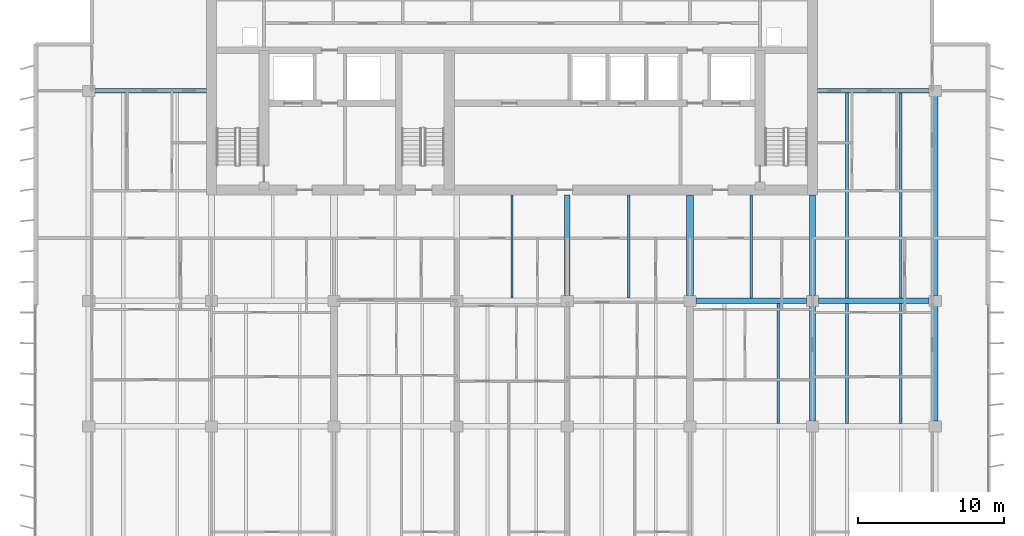
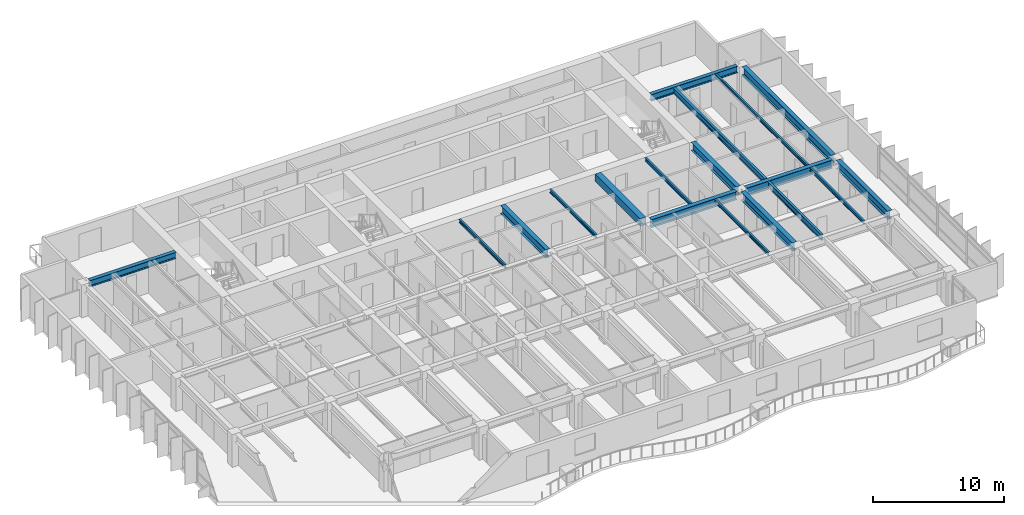
# One storey, part 5 of 19: 18 beams.
"""IFC4 building model written with IfcOpenShell, lengths in metres."""

from ifc_helpers import new_model, si_unit, direction, frame, origin, origin_2d, place, context, subcontext, project, spatial, rectangle, i_section, extrude, material, material_profile, profile_set, type_object, element, save


model = new_model("IFC4")

# Units and contexts
model_context = context("Model", 3, precision=1e-05, world=origin(), true_north=direction((0.0, 1.0)))
body_context = subcontext(model_context, "Body", "Model", "MODEL_VIEW")
ifc_project = project(units=[si_unit("LENGTHUNIT", "METRE"), si_unit("AREAUNIT", "SQUARE_METRE"), si_unit("VOLUMEUNIT", "CUBIC_METRE"), si_unit("PLANEANGLEUNIT", "RADIAN"), si_unit("MASSUNIT", "GRAM", prefix="KILO")], contexts=[model_context])

# Site, building, storey
site_placement = place(None, origin())
site = spatial("IfcSite", under=ifc_project, at=site_placement, CompositionType="ELEMENT")
building_placement = place(site_placement, origin())
building = spatial("IfcBuilding", under=site, at=building_placement, Name="Caelmar Bay Residences", CompositionType="ELEMENT")
storey_placement = place(building_placement, frame((0.0, 0.0, 167.10009765625)))
storey = spatial("IfcBuildingStorey", under=building, at=storey_placement, Name="L46", CompositionType="ELEMENT", Elevation=167.10009765625)

# Beams
ifc_material_1 = material(Name="Steel ASTM A992 Grade 50", Category="steel")
ifc_material_profile_1 = material_profile(ifc_material_1, i_section(OverallWidth=0.381103515625, OverallDepth=0.77197265625, WebThickness=0.0166015625, FlangeThickness=0.027099609375, FilletRadius=0.0166015625, at=origin_2d()), Name="W30X173")
ifc_profile_set_1 = profile_set([ifc_material_profile_1], Name="Steel ASTM A992 Grade 50")
beam_type_1 = type_object("IfcBeamType", Name="BM-GRD-W30X173", PredefinedType="BEAM", material=ifc_profile_set_1)
for number, where, z_axis, x_axis, name in (
    (1, (51.514892578125, 29.39990234375, 2.663818359375), (1.0, 0.0, 0.0), (0.0, 1.0, 0.0), "L46 East-West Girder Y=29.40 (51.1-59.5)"),
    (2, (59.9150390625, 29.39990234375, 2.663818359375), (1.0, 0.0, 0.0), (0.0, 1.0, 0.0), "L46 East-West Girder Y=29.40 (59.5-67.9)"),
):
    element("IfcBeam", number, at=place(storey_placement, frame(where, z_axis=z_axis, x_axis=x_axis)), inside=storey, type_object=beam_type_1, Name=name, PredefinedType="BEAM", context=body_context, shape_type="SweptSolid", body=[
        extrude(i_section(OverallWidth=0.381103515625, OverallDepth=0.77197265625, WebThickness=0.0166015625, FlangeThickness=0.027099609375, FilletRadius=0.0166015625, at=origin_2d()), origin(), (0.0, 0.0, 1.0), 7.570068359375),
    ])
for number, where, z_axis, x_axis, name in (
    (3, (42.699951171875, 29.764892578125, 2.663818359375), (0.0, 1.0, 0.0), (-1.0, 0.0, 0.0), "L46 Core Tie Girder X=42.70"),
    (4, (59.5, 29.764892578125, 2.663818359375), (0.0, 1.0, 0.0), (-1.0, 0.0, 0.0), "L46 Core Tie Girder X=59.50"),
):
    element("IfcBeam", number, at=place(storey_placement, frame(where, z_axis=z_axis, x_axis=x_axis)), inside=storey, type_object=beam_type_1, Name=name, PredefinedType="BEAM", context=body_context, shape_type="SweptSolid", body=[
        extrude(i_section(OverallWidth=0.381103515625, OverallDepth=0.77197265625, WebThickness=0.0166015625, FlangeThickness=0.027099609375, FilletRadius=0.0166015625, at=origin_2d()), origin(), (0.0, 0.0, 1.0), 6.885009765625),
    ])
for number, where, z_axis, x_axis, name in (
    (5, (59.5, 21.1650390625, 2.663818359375), (0.0, 1.0, 0.0), (-1.0, 0.0, 0.0), "L46 North-South Girder X=59.50 (20.8-29.4)"),
    (6, (67.89990234375, 21.1650390625, 2.663818359375), (0.0, 1.0, 0.0), (-1.0, 0.0, 0.0), "L46 North-South Girder X=67.90 (20.8-29.4)"),
):
    element("IfcBeam", number, at=place(storey_placement, frame(where, z_axis=z_axis, x_axis=x_axis)), inside=storey, type_object=beam_type_1, Name=name, PredefinedType="BEAM", context=body_context, shape_type="SweptSolid", body=[
        extrude(i_section(OverallWidth=0.381103515625, OverallDepth=0.77197265625, WebThickness=0.0166015625, FlangeThickness=0.027099609375, FilletRadius=0.0166015625, at=origin_2d()), origin(), (0.0, 0.0, 1.0), 7.869873046875),
    ])
beam_1_placement = place(storey_placement, frame((67.89990234375, 29.764892578125, 2.663818359375), z_axis=(0.0, 1.0, 0.0), x_axis=(-1.0, 0.0, 0.0)))
element("IfcBeam", 7, at=beam_1_placement, inside=storey, type_object=beam_type_1, Name="L46 North-South Girder X=67.90 (29.4-43.8)", PredefinedType="BEAM", context=body_context, shape_type="SweptSolid", body=[
    extrude(i_section(OverallWidth=0.381103515625, OverallDepth=0.77197265625, WebThickness=0.0166015625, FlangeThickness=0.027099609375, FilletRadius=0.0166015625, at=origin_2d()), origin(), (0.0, 0.0, 1.0), 13.670166015625),
])
ifc_material_profile_2 = material_profile(ifc_material_1, i_section(OverallWidth=0.1650390625, OverallDepth=0.31005859375, WebThickness=0.005859375, FlangeThickness=0.009765625, FilletRadius=0.007568359375, at=origin_2d()), Name="W12X26")
ifc_profile_set_2 = profile_set([ifc_material_profile_2], Name="Steel ASTM A992 Grade 50")
beam_type_2 = type_object("IfcBeamType", Name="BM-JST-W12X26", PredefinedType="JOIST", material=ifc_profile_set_2)
for number, where, z_axis, x_axis, name in (
    (8, (57.14794921875, 20.990478515625, 2.89501953125), (0.0, 1.0, 0.0), (-1.0, 0.0, 0.0), "L46 Composite Floor Joist 26"),
    (9, (65.548095703125, 20.990478515625, 2.89501953125), (0.0, 1.0, 0.0), (-1.0, 0.0, 0.0), "L46 Composite Floor Joist 28"),
):
    element("IfcBeam", number, at=place(storey_placement, frame(where, z_axis=z_axis, x_axis=x_axis)), inside=storey, type_object=beam_type_2, Name=name, PredefinedType="JOIST", context=body_context, shape_type="SweptSolid", body=[
        extrude(i_section(OverallWidth=0.1650390625, OverallDepth=0.31005859375, WebThickness=0.005859375, FlangeThickness=0.009765625, FilletRadius=0.007568359375, at=origin_2d()), origin(), (0.0, 0.0, 1.0), 8.218994140625),
    ])
for number, where, z_axis, x_axis, name in (
    (10, (38.89990234375, 29.590576171875, 2.89501953125), (0.0, 1.0, 0.0), (-1.0, 0.0, 0.0), "L46 Core-Band Composite Joist 31"),
    (11, (46.89990234375, 29.590576171875, 2.89501953125), (0.0, 1.0, 0.0), (-1.0, 0.0, 0.0), "L46 Core-Band Composite Joist 32"),
    (12, (55.300048828125, 29.590576171875, 2.89501953125), (0.0, 1.0, 0.0), (-1.0, 0.0, 0.0), "L46 Core-Band Composite Joist 33"),
):
    element("IfcBeam", number, at=place(storey_placement, frame(where, z_axis=z_axis, x_axis=x_axis)), inside=storey, type_object=beam_type_2, Name=name, PredefinedType="JOIST", context=body_context, shape_type="SweptSolid", body=[
        extrude(i_section(OverallWidth=0.1650390625, OverallDepth=0.31005859375, WebThickness=0.005859375, FlangeThickness=0.009765625, FilletRadius=0.007568359375, at=origin_2d()), origin(), (0.0, 0.0, 1.0), 7.059326171875),
    ])
beam_2_placement = place(storey_placement, frame((65.548095703125, 29.590576171875, 2.89501953125), z_axis=(0.0, 1.0, 0.0), x_axis=(-1.0, 0.0, 0.0)))
element("IfcBeam", 13, at=beam_2_placement, inside=storey, type_object=beam_type_2, Name="L46 Composite Floor Joist 37", PredefinedType="JOIST", context=body_context, shape_type="SweptSolid", body=[
    extrude(i_section(OverallWidth=0.1650390625, OverallDepth=0.31005859375, WebThickness=0.005859375, FlangeThickness=0.009765625, FilletRadius=0.007568359375, at=origin_2d()), origin(), (0.0, 0.0, 1.0), 14.046875),
])
ifc_material_profile_3 = material_profile(ifc_material_1, i_section(OverallWidth=0.2099609375, OverallDepth=0.535888671875, WebThickness=0.010986328125, FlangeThickness=0.017333984375, FilletRadius=0.0126953125, at=origin_2d()), Name="W21X68")
ifc_profile_set_3 = profile_set([ifc_material_profile_3], Name="Steel ASTM A992 Grade 50")
beam_type_3 = type_object("IfcBeamType", Name="BM-JST-W21X68", PredefinedType="JOIST", material=ifc_profile_set_3)
beam_3_placement = place(storey_placement, frame((61.85205078125, 20.990478515625, 2.781982421875), z_axis=(0.0, 1.0, 0.0), x_axis=(-1.0, 0.0, 0.0)))
element("IfcBeam", 14, at=beam_3_placement, inside=storey, type_object=beam_type_3, Name="L46 Composite Floor Joist 27", PredefinedType="JOIST", context=body_context, shape_type="SweptSolid", body=[
    extrude(i_section(OverallWidth=0.2099609375, OverallDepth=0.535888671875, WebThickness=0.010986328125, FlangeThickness=0.017333984375, FilletRadius=0.0126953125, at=origin_2d()), origin(), (0.0, 0.0, 1.0), 8.218994140625),
])
beam_4_placement = place(storey_placement, frame((61.85205078125, 29.590576171875, 2.781982421875), z_axis=(0.0, 1.0, 0.0), x_axis=(-1.0, 0.0, 0.0)))
element("IfcBeam", 15, at=beam_4_placement, inside=storey, type_object=beam_type_3, Name="L46 Composite Floor Joist 36", PredefinedType="JOIST", context=body_context, shape_type="SweptSolid", body=[
    extrude(i_section(OverallWidth=0.2099609375, OverallDepth=0.535888671875, WebThickness=0.010986328125, FlangeThickness=0.017333984375, FilletRadius=0.0126953125, at=origin_2d()), origin(), (0.0, 0.0, 1.0), 14.046875),
])
ifc_material_2 = material(Name="Concrete f'c 55 MPa (8,000 psi)", Category="concrete")
ifc_material_profile_4 = material_profile(ifc_material_2, rectangle(XDim=0.5, YDim=0.699951171875, at=origin_2d()), Name="RC-BM-500X700")
ifc_profile_set_4 = profile_set([ifc_material_profile_4], Name="Concrete f'c 55 MPa (8,000 psi)")
beam_type_4 = type_object("IfcBeamType", Name="BM-RC-500X700", PredefinedType="LINTEL", material=ifc_profile_set_4)
beam_5_placement = place(storey_placement, frame((51.10009765625, 29.764892578125, 2.699951171875), z_axis=(0.0, 1.0, 0.0), x_axis=(-1.0, 0.0, 0.0)))
element("IfcBeam", 16, at=beam_5_placement, inside=storey, type_object=beam_type_4, Name="L46 Shear-Wall Corridor Coupling Lintel E8", PredefinedType="LINTEL", context=body_context, shape_type="SweptSolid", body=[
    extrude(rectangle(XDim=0.5, YDim=0.699951171875, at=origin_2d()), origin(), (0.0, 0.0, 1.0), 6.885009765625),
])
ifc_material_profile_5 = material_profile(ifc_material_1, i_section(OverallWidth=0.324951171875, OverallDepth=0.616943359375, WebThickness=0.013916015625, FlangeThickness=0.021484375, FilletRadius=0.0126953125, at=origin_2d()), Name="W24X117")
ifc_profile_set_5 = profile_set([ifc_material_profile_5], Name="Steel ASTM A992 Grade 50")
beam_type_5 = type_object("IfcBeamType", Name="BM-SPN-W24X117", PredefinedType="SPANDREL", material=ifc_profile_set_5)
for number, where, z_axis, x_axis, name in (
    (17, (10.31494140625, 43.800048828125, 2.741455078125), (1.0, 0.0, 0.0), (0.0, 1.0, 0.0), "L46 North-West Wing Core Tie Girder"),
    (18, (59.85009765625, 43.800048828125, 2.741455078125), (1.0, 0.0, 0.0), (0.0, 1.0, 0.0), "L46 North-East Wing Core Tie Girder"),
):
    element("IfcBeam", number, at=place(storey_placement, frame(where, z_axis=z_axis, x_axis=x_axis)), inside=storey, type_object=beam_type_5, Name=name, PredefinedType="SPANDREL", context=body_context, shape_type="SweptSolid", body=[
        extrude(i_section(OverallWidth=0.324951171875, OverallDepth=0.616943359375, WebThickness=0.013916015625, FlangeThickness=0.021484375, FilletRadius=0.0126953125, at=origin_2d()), origin(), (0.0, 0.0, 1.0), 7.635009765625),
    ])

save(model, "model.ifc")
